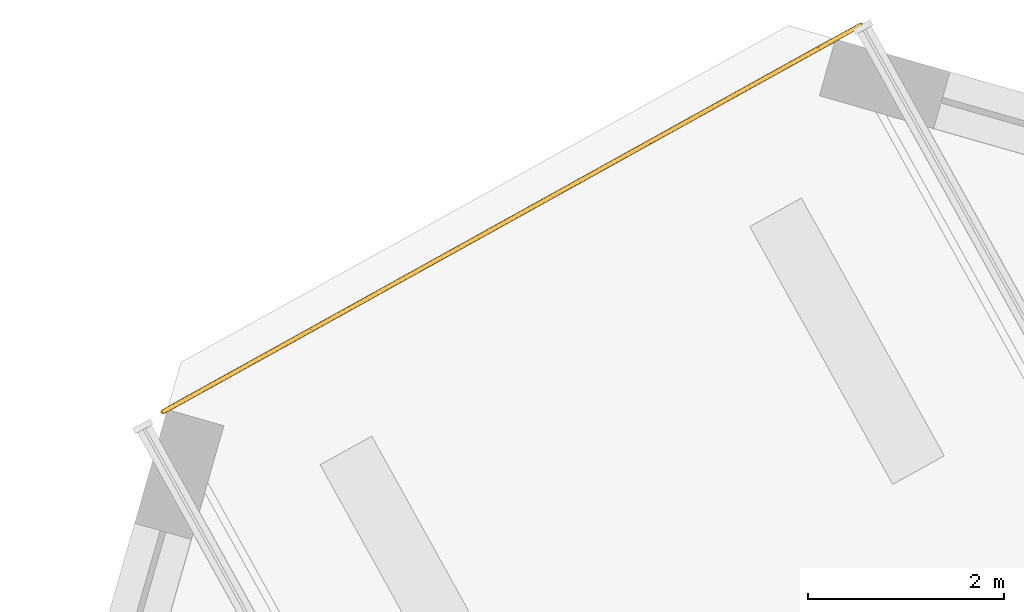
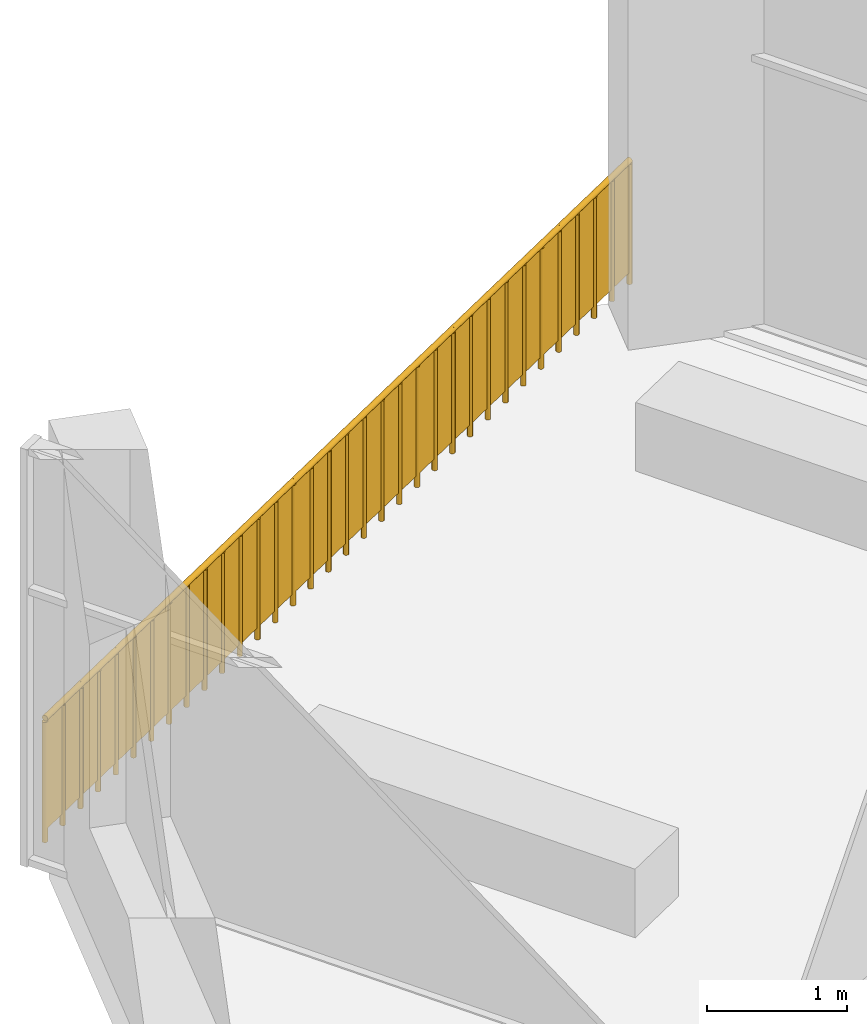
# One storey, part 14 of 15: 1 railing.
"""IFC4 building model written with IfcOpenShell, lengths in metres."""

from ifc_helpers import new_model, si_unit, direction, frame, origin, origin_2d, place, context, subcontext, project, spatial, rectangle, circle, extrude, material, type_object, element, save


model = new_model("IFC4")

# Units and contexts
model_context = context("Model", 3, precision=1e-05, world=origin(), true_north=direction((0.0, 1.0)))
body_context = subcontext(model_context, "Body", "Model", "MODEL_VIEW")
ifc_project = project(units=[si_unit("LENGTHUNIT", "METRE"), si_unit("AREAUNIT", "SQUARE_METRE"), si_unit("VOLUMEUNIT", "CUBIC_METRE"), si_unit("PLANEANGLEUNIT", "RADIAN"), si_unit("MASSUNIT", "GRAM", prefix="KILO")], contexts=[model_context])

# Site, building, storey
site_placement = place(None, origin())
site = spatial("IfcSite", under=ifc_project, at=site_placement, CompositionType="ELEMENT")
building_placement = place(site_placement, origin())
building = spatial("IfcBuilding", under=site, at=building_placement, Name="Dilmun Exchange Tower", CompositionType="ELEMENT")
storey_placement = place(building_placement, frame((0.0, 0.0, 324.5)))
storey = spatial("IfcBuildingStorey", under=building, at=storey_placement, Name="L77", CompositionType="ELEMENT", Elevation=324.5)

# Railing
ifc_material = material(Name="Stainless steel", Category="steel")
railing_type = type_object("IfcRailingType", Name="Terrace guard 1100 stainless steel", PredefinedType="GUARDRAIL", material=ifc_material)
railing_placement = place(storey_placement, frame((-12.135498046875, 34.909423828125, 0.0)))
element("IfcRailing", 1, at=railing_placement, inside=storey, type_object=railing_type, Name="Terrace guard 1", PredefinedType="GUARDRAIL", context=body_context, shape_type="SweptSolid", body=[
    extrude(circle(Radius=0.02392578125, at=origin_2d()), frame((0.0, 0.0, 1.076171875), z_axis=(-0.874810735637, -0.484464835477, 0.0), x_axis=(0.484464835477, -0.874810735637, 0.0)), (0.0, 0.0, 1.0), 0.246337890625),
    extrude(rectangle(XDim=0.011962890625, YDim=0.951904296875, at=origin_2d()), frame((0.0, 0.0, 0.576171875), z_axis=(-0.874810735637, -0.484464835477, 0.0), x_axis=(0.484464835477, -0.874810735637, 0.0)), (0.0, 0.0, 1.0), 0.246337890625),
    extrude(circle(Radius=0.02392578125, at=origin_2d()), frame((-0.215576171875, -0.119384765625, 1.076171875), z_axis=(-0.874810735637, -0.484464835477, 0.0), x_axis=(0.484464835477, -0.874810735637, 0.0)), (0.0, 0.0, 1.0), 0.246337890625),
    extrude(rectangle(XDim=0.011962890625, YDim=0.951904296875, at=origin_2d()), frame((-0.215576171875, -0.119384765625, 0.576171875), z_axis=(-0.874810735637, -0.484464835477, 0.0), x_axis=(0.484464835477, -0.874810735637, 0.0)), (0.0, 0.0, 1.0), 0.246337890625),
    extrude(circle(Radius=0.02392578125, at=origin_2d()), frame((-0.43115234375, -0.23876953125, 1.076171875), z_axis=(-0.874390724559, -0.485222485882, 0.0), x_axis=(0.485222485882, -0.874390724559, 0.0)), (0.0, 0.0, 1.0), 0.24658203125),
    extrude(rectangle(XDim=0.011962890625, YDim=0.951904296875, at=origin_2d()), frame((-0.43115234375, -0.23876953125, 0.576171875), z_axis=(-0.874390724559, -0.485222485882, 0.0), x_axis=(0.485222485882, -0.874390724559, 0.0)), (0.0, 0.0, 1.0), 0.24658203125),
    extrude(circle(Radius=0.02392578125, at=origin_2d()), frame((-0.646728515625, -0.3583984375, 1.076171875), z_axis=(-0.874810735637, -0.484464835477, 0.0), x_axis=(0.484464835477, -0.874810735637, 0.0)), (0.0, 0.0, 1.0), 0.246337890625),
    extrude(rectangle(XDim=0.011962890625, YDim=0.951904296875, at=origin_2d()), frame((-0.646728515625, -0.3583984375, 0.576171875), z_axis=(-0.874810735637, -0.484464835477, 0.0), x_axis=(0.484464835477, -0.874810735637, 0.0)), (0.0, 0.0, 1.0), 0.246337890625),
    extrude(circle(Radius=0.02392578125, at=origin_2d()), frame((-0.8623046875, -0.477783203125, 1.076171875), z_axis=(-0.874577903589, -0.48488502818, 0.0), x_axis=(0.48488502818, -0.874577903589, 0.0)), (0.0, 0.0, 1.0), 0.24609375),
    extrude(rectangle(XDim=0.011962890625, YDim=0.951904296875, at=origin_2d()), frame((-0.8623046875, -0.477783203125, 0.576171875), z_axis=(-0.874577903589, -0.48488502818, 0.0), x_axis=(0.48488502818, -0.874577903589, 0.0)), (0.0, 0.0, 1.0), 0.24609375),
    extrude(circle(Radius=0.02392578125, at=origin_2d()), frame((-1.07763671875, -0.59716796875, 1.076171875), z_axis=(-0.874390724559, -0.485222485882, 0.0), x_axis=(0.485222485882, -0.874390724559, 0.0)), (0.0, 0.0, 1.0), 0.24658203125),
    extrude(rectangle(XDim=0.011962890625, YDim=0.951904296875, at=origin_2d()), frame((-1.07763671875, -0.59716796875, 0.576171875), z_axis=(-0.874390724559, -0.485222485882, 0.0), x_axis=(0.485222485882, -0.874390724559, 0.0)), (0.0, 0.0, 1.0), 0.24658203125),
    extrude(circle(Radius=0.02392578125, at=origin_2d()), frame((-1.293212890625, -0.716796875, 1.076171875), z_axis=(-0.874810735637, -0.484464835477, 0.0), x_axis=(0.484464835477, -0.874810735637, 0.0)), (0.0, 0.0, 1.0), 0.246337890625),
    extrude(rectangle(XDim=0.011962890625, YDim=0.951904296875, at=origin_2d()), frame((-1.293212890625, -0.716796875, 0.576171875), z_axis=(-0.874810735637, -0.484464835477, 0.0), x_axis=(0.484464835477, -0.874810735637, 0.0)), (0.0, 0.0, 1.0), 0.246337890625),
    extrude(circle(Radius=0.02392578125, at=origin_2d()), frame((-1.5087890625, -0.836181640625, 1.076171875), z_axis=(-0.874810735637, -0.484464835477, 0.0), x_axis=(0.484464835477, -0.874810735637, 0.0)), (0.0, 0.0, 1.0), 0.246337890625),
    extrude(rectangle(XDim=0.011962890625, YDim=0.951904296875, at=origin_2d()), frame((-1.5087890625, -0.836181640625, 0.576171875), z_axis=(-0.874810735637, -0.484464835477, 0.0), x_axis=(0.484464835477, -0.874810735637, 0.0)), (0.0, 0.0, 1.0), 0.246337890625),
    extrude(circle(Radius=0.02392578125, at=origin_2d()), frame((-1.724365234375, -0.95556640625, 1.076171875), z_axis=(-0.874157276122, -0.485642931179, 0.0), x_axis=(0.485642931179, -0.874157276122, 0.0)), (0.0, 0.0, 1.0), 0.246337890625),
    extrude(rectangle(XDim=0.011962890625, YDim=0.951904296875, at=origin_2d()), frame((-1.724365234375, -0.95556640625, 0.576171875), z_axis=(-0.874157276122, -0.485642931179, 0.0), x_axis=(0.485642931179, -0.874157276122, 0.0)), (0.0, 0.0, 1.0), 0.246337890625),
    extrude(circle(Radius=0.02392578125, at=origin_2d()), frame((-1.939697265625, -1.0751953125, 1.076171875), z_axis=(-0.874810735637, -0.484464835477, 0.0), x_axis=(0.484464835477, -0.874810735637, 0.0)), (0.0, 0.0, 1.0), 0.246337890625),
    extrude(rectangle(XDim=0.011962890625, YDim=0.951904296875, at=origin_2d()), frame((-1.939697265625, -1.0751953125, 0.576171875), z_axis=(-0.874810735637, -0.484464835477, 0.0), x_axis=(0.484464835477, -0.874810735637, 0.0)), (0.0, 0.0, 1.0), 0.246337890625),
    extrude(circle(Radius=0.02392578125, at=origin_2d()), frame((-2.1552734375, -1.194580078125, 1.076171875), z_axis=(-0.874810735637, -0.484464835477, 0.0), x_axis=(0.484464835477, -0.874810735637, 0.0)), (0.0, 0.0, 1.0), 0.246337890625),
    extrude(rectangle(XDim=0.011962890625, YDim=0.951904296875, at=origin_2d()), frame((-2.1552734375, -1.194580078125, 0.576171875), z_axis=(-0.874810735637, -0.484464835477, 0.0), x_axis=(0.484464835477, -0.874810735637, 0.0)), (0.0, 0.0, 1.0), 0.246337890625),
    extrude(circle(Radius=0.02392578125, at=origin_2d()), frame((-2.370849609375, -1.31396484375, 1.076171875), z_axis=(-0.874390724559, -0.485222485882, 0.0), x_axis=(0.485222485882, -0.874390724559, 0.0)), (0.0, 0.0, 1.0), 0.24658203125),
    extrude(rectangle(XDim=0.011962890625, YDim=0.951904296875, at=origin_2d()), frame((-2.370849609375, -1.31396484375, 0.576171875), z_axis=(-0.874390724559, -0.485222485882, 0.0), x_axis=(0.485222485882, -0.874390724559, 0.0)), (0.0, 0.0, 1.0), 0.24658203125),
    extrude(circle(Radius=0.02392578125, at=origin_2d()), frame((-2.58642578125, -1.43359375, 1.076171875), z_axis=(-0.874810735637, -0.484464835477, 0.0), x_axis=(0.484464835477, -0.874810735637, 0.0)), (0.0, 0.0, 1.0), 0.246337890625),
    extrude(rectangle(XDim=0.011962890625, YDim=0.951904296875, at=origin_2d()), frame((-2.58642578125, -1.43359375, 0.576171875), z_axis=(-0.874810735637, -0.484464835477, 0.0), x_axis=(0.484464835477, -0.874810735637, 0.0)), (0.0, 0.0, 1.0), 0.246337890625),
    extrude(circle(Radius=0.02392578125, at=origin_2d()), frame((-2.802001953125, -1.552978515625, 1.076171875), z_axis=(-0.874577903589, -0.48488502818, 0.0), x_axis=(0.48488502818, -0.874577903589, 0.0)), (0.0, 0.0, 1.0), 0.24609375),
    extrude(rectangle(XDim=0.011962890625, YDim=0.951904296875, at=origin_2d()), frame((-2.802001953125, -1.552978515625, 0.576171875), z_axis=(-0.874577903589, -0.48488502818, 0.0), x_axis=(0.48488502818, -0.874577903589, 0.0)), (0.0, 0.0, 1.0), 0.24609375),
    extrude(circle(Radius=0.02392578125, at=origin_2d()), frame((-3.017333984375, -1.67236328125, 1.076171875), z_axis=(-0.874390724559, -0.485222485882, 0.0), x_axis=(0.485222485882, -0.874390724559, 0.0)), (0.0, 0.0, 1.0), 0.24658203125),
    extrude(rectangle(XDim=0.011962890625, YDim=0.951904296875, at=origin_2d()), frame((-3.017333984375, -1.67236328125, 0.576171875), z_axis=(-0.874390724559, -0.485222485882, 0.0), x_axis=(0.485222485882, -0.874390724559, 0.0)), (0.0, 0.0, 1.0), 0.24658203125),
    extrude(circle(Radius=0.02392578125, at=origin_2d()), frame((-3.23291015625, -1.7919921875, 1.076171875), z_axis=(-0.874810735637, -0.484464835477, 0.0), x_axis=(0.484464835477, -0.874810735637, 0.0)), (0.0, 0.0, 1.0), 0.246337890625),
    extrude(rectangle(XDim=0.011962890625, YDim=0.951904296875, at=origin_2d()), frame((-3.23291015625, -1.7919921875, 0.576171875), z_axis=(-0.874810735637, -0.484464835477, 0.0), x_axis=(0.484464835477, -0.874810735637, 0.0)), (0.0, 0.0, 1.0), 0.246337890625),
    extrude(circle(Radius=0.02392578125, at=origin_2d()), frame((-3.448486328125, -1.911376953125, 1.076171875), z_axis=(-0.874810735637, -0.484464835477, 0.0), x_axis=(0.484464835477, -0.874810735637, 0.0)), (0.0, 0.0, 1.0), 0.246337890625),
    extrude(rectangle(XDim=0.011962890625, YDim=0.951904296875, at=origin_2d()), frame((-3.448486328125, -1.911376953125, 0.576171875), z_axis=(-0.874810735637, -0.484464835477, 0.0), x_axis=(0.484464835477, -0.874810735637, 0.0)), (0.0, 0.0, 1.0), 0.246337890625),
    extrude(circle(Radius=0.02392578125, at=origin_2d()), frame((-3.6640625, -2.03076171875, 1.076171875), z_axis=(-0.874157276122, -0.485642931179, 0.0), x_axis=(0.485642931179, -0.874157276122, 0.0)), (0.0, 0.0, 1.0), 0.246337890625),
    extrude(rectangle(XDim=0.011962890625, YDim=0.951904296875, at=origin_2d()), frame((-3.6640625, -2.03076171875, 0.576171875), z_axis=(-0.874157276122, -0.485642931179, 0.0), x_axis=(0.485642931179, -0.874157276122, 0.0)), (0.0, 0.0, 1.0), 0.246337890625),
    extrude(circle(Radius=0.02392578125, at=origin_2d()), frame((-3.87939453125, -2.150390625, 1.076171875), z_axis=(-0.874810735637, -0.484464835477, 0.0), x_axis=(0.484464835477, -0.874810735637, 0.0)), (0.0, 0.0, 1.0), 0.246337890625),
    extrude(rectangle(XDim=0.011962890625, YDim=0.951904296875, at=origin_2d()), frame((-3.87939453125, -2.150390625, 0.576171875), z_axis=(-0.874810735637, -0.484464835477, 0.0), x_axis=(0.484464835477, -0.874810735637, 0.0)), (0.0, 0.0, 1.0), 0.246337890625),
    extrude(circle(Radius=0.02392578125, at=origin_2d()), frame((-4.094970703125, -2.269775390625, 1.076171875), z_axis=(-0.874810735637, -0.484464835477, 0.0), x_axis=(0.484464835477, -0.874810735637, 0.0)), (0.0, 0.0, 1.0), 0.246337890625),
    extrude(rectangle(XDim=0.011962890625, YDim=0.951904296875, at=origin_2d()), frame((-4.094970703125, -2.269775390625, 0.576171875), z_axis=(-0.874810735637, -0.484464835477, 0.0), x_axis=(0.484464835477, -0.874810735637, 0.0)), (0.0, 0.0, 1.0), 0.246337890625),
    extrude(circle(Radius=0.02392578125, at=origin_2d()), frame((-4.310546875, -2.38916015625, 1.076171875), z_axis=(-0.874390724559, -0.485222485882, 0.0), x_axis=(0.485222485882, -0.874390724559, 0.0)), (0.0, 0.0, 1.0), 0.24658203125),
    extrude(rectangle(XDim=0.011962890625, YDim=0.951904296875, at=origin_2d()), frame((-4.310546875, -2.38916015625, 0.576171875), z_axis=(-0.874390724559, -0.485222485882, 0.0), x_axis=(0.485222485882, -0.874390724559, 0.0)), (0.0, 0.0, 1.0), 0.24658203125),
    extrude(circle(Radius=0.02392578125, at=origin_2d()), frame((-4.526123046875, -2.5087890625, 1.076171875), z_axis=(-0.874810735637, -0.484464835477, 0.0), x_axis=(0.484464835477, -0.874810735637, 0.0)), (0.0, 0.0, 1.0), 0.246337890625),
    extrude(rectangle(XDim=0.011962890625, YDim=0.951904296875, at=origin_2d()), frame((-4.526123046875, -2.5087890625, 0.576171875), z_axis=(-0.874810735637, -0.484464835477, 0.0), x_axis=(0.484464835477, -0.874810735637, 0.0)), (0.0, 0.0, 1.0), 0.246337890625),
    extrude(circle(Radius=0.02392578125, at=origin_2d()), frame((-4.74169921875, -2.628173828125, 1.076171875), z_axis=(-0.874577903589, -0.48488502818, 0.0), x_axis=(0.48488502818, -0.874577903589, 0.0)), (0.0, 0.0, 1.0), 0.24609375),
    extrude(rectangle(XDim=0.011962890625, YDim=0.951904296875, at=origin_2d()), frame((-4.74169921875, -2.628173828125, 0.576171875), z_axis=(-0.874577903589, -0.48488502818, 0.0), x_axis=(0.48488502818, -0.874577903589, 0.0)), (0.0, 0.0, 1.0), 0.24609375),
    extrude(circle(Radius=0.02392578125, at=origin_2d()), frame((-4.95703125, -2.74755859375, 1.076171875), z_axis=(-0.874390724559, -0.485222485882, 0.0), x_axis=(0.485222485882, -0.874390724559, 0.0)), (0.0, 0.0, 1.0), 0.24658203125),
    extrude(rectangle(XDim=0.011962890625, YDim=0.951904296875, at=origin_2d()), frame((-4.95703125, -2.74755859375, 0.576171875), z_axis=(-0.874390724559, -0.485222485882, 0.0), x_axis=(0.485222485882, -0.874390724559, 0.0)), (0.0, 0.0, 1.0), 0.24658203125),
    extrude(circle(Radius=0.02392578125, at=origin_2d()), frame((-5.172607421875, -2.8671875, 1.076171875), z_axis=(-0.874810735637, -0.484464835477, 0.0), x_axis=(0.484464835477, -0.874810735637, 0.0)), (0.0, 0.0, 1.0), 0.246337890625),
    extrude(rectangle(XDim=0.011962890625, YDim=0.951904296875, at=origin_2d()), frame((-5.172607421875, -2.8671875, 0.576171875), z_axis=(-0.874810735637, -0.484464835477, 0.0), x_axis=(0.484464835477, -0.874810735637, 0.0)), (0.0, 0.0, 1.0), 0.246337890625),
    extrude(circle(Radius=0.02392578125, at=origin_2d()), frame((-5.38818359375, -2.986572265625, 1.076171875), z_axis=(-0.874810735637, -0.484464835477, 0.0), x_axis=(0.484464835477, -0.874810735637, 0.0)), (0.0, 0.0, 1.0), 0.246337890625),
    extrude(rectangle(XDim=0.011962890625, YDim=0.951904296875, at=origin_2d()), frame((-5.38818359375, -2.986572265625, 0.576171875), z_axis=(-0.874810735637, -0.484464835477, 0.0), x_axis=(0.484464835477, -0.874810735637, 0.0)), (0.0, 0.0, 1.0), 0.246337890625),
    extrude(circle(Radius=0.02392578125, at=origin_2d()), frame((-5.603759765625, -3.10595703125, 1.076171875), z_axis=(-0.874157276122, -0.485642931179, 0.0), x_axis=(0.485642931179, -0.874157276122, 0.0)), (0.0, 0.0, 1.0), 0.246337890625),
    extrude(rectangle(XDim=0.011962890625, YDim=0.951904296875, at=origin_2d()), frame((-5.603759765625, -3.10595703125, 0.576171875), z_axis=(-0.874157276122, -0.485642931179, 0.0), x_axis=(0.485642931179, -0.874157276122, 0.0)), (0.0, 0.0, 1.0), 0.246337890625),
    extrude(circle(Radius=0.02392578125, at=origin_2d()), frame((-5.819091796875, -3.2255859375, 1.076171875), z_axis=(-0.874810735637, -0.484464835477, 0.0), x_axis=(0.484464835477, -0.874810735637, 0.0)), (0.0, 0.0, 1.0), 0.246337890625),
    extrude(rectangle(XDim=0.011962890625, YDim=0.951904296875, at=origin_2d()), frame((-5.819091796875, -3.2255859375, 0.576171875), z_axis=(-0.874810735637, -0.484464835477, 0.0), x_axis=(0.484464835477, -0.874810735637, 0.0)), (0.0, 0.0, 1.0), 0.246337890625),
    extrude(circle(Radius=0.02392578125, at=origin_2d()), frame((-6.03466796875, -3.344970703125, 1.076171875), z_axis=(-0.874810735637, -0.484464835477, 0.0), x_axis=(0.484464835477, -0.874810735637, 0.0)), (0.0, 0.0, 1.0), 0.246337890625),
    extrude(rectangle(XDim=0.011962890625, YDim=0.951904296875, at=origin_2d()), frame((-6.03466796875, -3.344970703125, 0.576171875), z_axis=(-0.874810735637, -0.484464835477, 0.0), x_axis=(0.484464835477, -0.874810735637, 0.0)), (0.0, 0.0, 1.0), 0.246337890625),
    extrude(circle(Radius=0.02392578125, at=origin_2d()), frame((-6.250244140625, -3.46435546875, 1.076171875), z_axis=(-0.874390724559, -0.485222485882, 0.0), x_axis=(0.485222485882, -0.874390724559, 0.0)), (0.0, 0.0, 1.0), 0.24658203125),
    extrude(rectangle(XDim=0.011962890625, YDim=0.951904296875, at=origin_2d()), frame((-6.250244140625, -3.46435546875, 0.576171875), z_axis=(-0.874390724559, -0.485222485882, 0.0), x_axis=(0.485222485882, -0.874390724559, 0.0)), (0.0, 0.0, 1.0), 0.24658203125),
    extrude(circle(Radius=0.02392578125, at=origin_2d()), frame((-6.4658203125, -3.583984375, 1.076171875), z_axis=(-0.874810735637, -0.484464835477, 0.0), x_axis=(0.484464835477, -0.874810735637, 0.0)), (0.0, 0.0, 1.0), 0.246337890625),
    extrude(rectangle(XDim=0.011962890625, YDim=0.951904296875, at=origin_2d()), frame((-6.4658203125, -3.583984375, 0.576171875), z_axis=(-0.874810735637, -0.484464835477, 0.0), x_axis=(0.484464835477, -0.874810735637, 0.0)), (0.0, 0.0, 1.0), 0.246337890625),
    extrude(circle(Radius=0.02392578125, at=origin_2d()), frame((-6.681396484375, -3.703369140625, 1.076171875), z_axis=(-0.874577903589, -0.48488502818, 0.0), x_axis=(0.48488502818, -0.874577903589, 0.0)), (0.0, 0.0, 1.0), 0.24609375),
    extrude(rectangle(XDim=0.011962890625, YDim=0.951904296875, at=origin_2d()), frame((-6.681396484375, -3.703369140625, 0.576171875), z_axis=(-0.874577903589, -0.48488502818, 0.0), x_axis=(0.48488502818, -0.874577903589, 0.0)), (0.0, 0.0, 1.0), 0.24609375),
    extrude(circle(Radius=0.02392578125, at=origin_2d()), frame((-6.896728515625, -3.82275390625, 1.076171875), z_axis=(-0.874390724559, -0.485222485882, 0.0), x_axis=(0.485222485882, -0.874390724559, 0.0)), (0.0, 0.0, 1.0), 0.24658203125),
    extrude(rectangle(XDim=0.011962890625, YDim=0.951904296875, at=origin_2d()), frame((-6.896728515625, -3.82275390625, 0.576171875), z_axis=(-0.874390724559, -0.485222485882, 0.0), x_axis=(0.485222485882, -0.874390724559, 0.0)), (0.0, 0.0, 1.0), 0.24658203125),
    extrude(circle(Radius=0.02099609375, at=origin_2d()), origin(), (0.0, 0.0, 1.0), 1.052001953125),
    extrude(circle(Radius=0.02099609375, at=origin_2d()), frame((-0.215576171875, -0.119384765625, 0.0)), (0.0, 0.0, 1.0), 1.052001953125),
    extrude(circle(Radius=0.02099609375, at=origin_2d()), frame((-0.43115234375, -0.23876953125, 0.0)), (0.0, 0.0, 1.0), 1.052001953125),
    extrude(circle(Radius=0.02099609375, at=origin_2d()), frame((-0.646728515625, -0.3583984375, 0.0)), (0.0, 0.0, 1.0), 1.052001953125),
    extrude(circle(Radius=0.02099609375, at=origin_2d()), frame((-0.8623046875, -0.477783203125, 0.0)), (0.0, 0.0, 1.0), 1.052001953125),
    extrude(circle(Radius=0.02099609375, at=origin_2d()), frame((-1.07763671875, -0.59716796875, 0.0)), (0.0, 0.0, 1.0), 1.052001953125),
    extrude(circle(Radius=0.02099609375, at=origin_2d()), frame((-1.293212890625, -0.716796875, 0.0)), (0.0, 0.0, 1.0), 1.052001953125),
    extrude(circle(Radius=0.02099609375, at=origin_2d()), frame((-1.5087890625, -0.836181640625, 0.0)), (0.0, 0.0, 1.0), 1.052001953125),
    extrude(circle(Radius=0.02099609375, at=origin_2d()), frame((-1.724365234375, -0.95556640625, 0.0)), (0.0, 0.0, 1.0), 1.052001953125),
    extrude(circle(Radius=0.02099609375, at=origin_2d()), frame((-1.939697265625, -1.0751953125, 0.0)), (0.0, 0.0, 1.0), 1.052001953125),
    extrude(circle(Radius=0.02099609375, at=origin_2d()), frame((-2.1552734375, -1.194580078125, 0.0)), (0.0, 0.0, 1.0), 1.052001953125),
    extrude(circle(Radius=0.02099609375, at=origin_2d()), frame((-2.370849609375, -1.31396484375, 0.0)), (0.0, 0.0, 1.0), 1.052001953125),
    extrude(circle(Radius=0.02099609375, at=origin_2d()), frame((-2.58642578125, -1.43359375, 0.0)), (0.0, 0.0, 1.0), 1.052001953125),
    extrude(circle(Radius=0.02099609375, at=origin_2d()), frame((-2.802001953125, -1.552978515625, 0.0)), (0.0, 0.0, 1.0), 1.052001953125),
    extrude(circle(Radius=0.02099609375, at=origin_2d()), frame((-3.017333984375, -1.67236328125, 0.0)), (0.0, 0.0, 1.0), 1.052001953125),
    extrude(circle(Radius=0.02099609375, at=origin_2d()), frame((-3.23291015625, -1.7919921875, 0.0)), (0.0, 0.0, 1.0), 1.052001953125),
    extrude(circle(Radius=0.02099609375, at=origin_2d()), frame((-3.448486328125, -1.911376953125, 0.0)), (0.0, 0.0, 1.0), 1.052001953125),
    extrude(circle(Radius=0.02099609375, at=origin_2d()), frame((-3.6640625, -2.03076171875, 0.0)), (0.0, 0.0, 1.0), 1.052001953125),
    extrude(circle(Radius=0.02099609375, at=origin_2d()), frame((-3.87939453125, -2.150390625, 0.0)), (0.0, 0.0, 1.0), 1.052001953125),
    extrude(circle(Radius=0.02099609375, at=origin_2d()), frame((-4.094970703125, -2.269775390625, 0.0)), (0.0, 0.0, 1.0), 1.052001953125),
    extrude(circle(Radius=0.02099609375, at=origin_2d()), frame((-4.310546875, -2.38916015625, 0.0)), (0.0, 0.0, 1.0), 1.052001953125),
    extrude(circle(Radius=0.02099609375, at=origin_2d()), frame((-4.526123046875, -2.5087890625, 0.0)), (0.0, 0.0, 1.0), 1.052001953125),
    extrude(circle(Radius=0.02099609375, at=origin_2d()), frame((-4.74169921875, -2.628173828125, 0.0)), (0.0, 0.0, 1.0), 1.052001953125),
    extrude(circle(Radius=0.02099609375, at=origin_2d()), frame((-4.95703125, -2.74755859375, 0.0)), (0.0, 0.0, 1.0), 1.052001953125),
    extrude(circle(Radius=0.02099609375, at=origin_2d()), frame((-5.172607421875, -2.8671875, 0.0)), (0.0, 0.0, 1.0), 1.052001953125),
    extrude(circle(Radius=0.02099609375, at=origin_2d()), frame((-5.38818359375, -2.986572265625, 0.0)), (0.0, 0.0, 1.0), 1.052001953125),
    extrude(circle(Radius=0.02099609375, at=origin_2d()), frame((-5.603759765625, -3.10595703125, 0.0)), (0.0, 0.0, 1.0), 1.052001953125),
    extrude(circle(Radius=0.02099609375, at=origin_2d()), frame((-5.819091796875, -3.2255859375, 0.0)), (0.0, 0.0, 1.0), 1.052001953125),
    extrude(circle(Radius=0.02099609375, at=origin_2d()), frame((-6.03466796875, -3.344970703125, 0.0)), (0.0, 0.0, 1.0), 1.052001953125),
    extrude(circle(Radius=0.02099609375, at=origin_2d()), frame((-6.250244140625, -3.46435546875, 0.0)), (0.0, 0.0, 1.0), 1.052001953125),
    extrude(circle(Radius=0.02099609375, at=origin_2d()), frame((-6.4658203125, -3.583984375, 0.0)), (0.0, 0.0, 1.0), 1.052001953125),
    extrude(circle(Radius=0.02099609375, at=origin_2d()), frame((-6.681396484375, -3.703369140625, 0.0)), (0.0, 0.0, 1.0), 1.052001953125),
    extrude(circle(Radius=0.02099609375, at=origin_2d()), frame((-6.896728515625, -3.82275390625, 0.0)), (0.0, 0.0, 1.0), 1.052001953125),
    extrude(circle(Radius=0.02099609375, at=origin_2d()), frame((-7.1123046875, -3.9423828125, 0.0)), (0.0, 0.0, 1.0), 1.052001953125),
])

save(model, "model.ifc")
